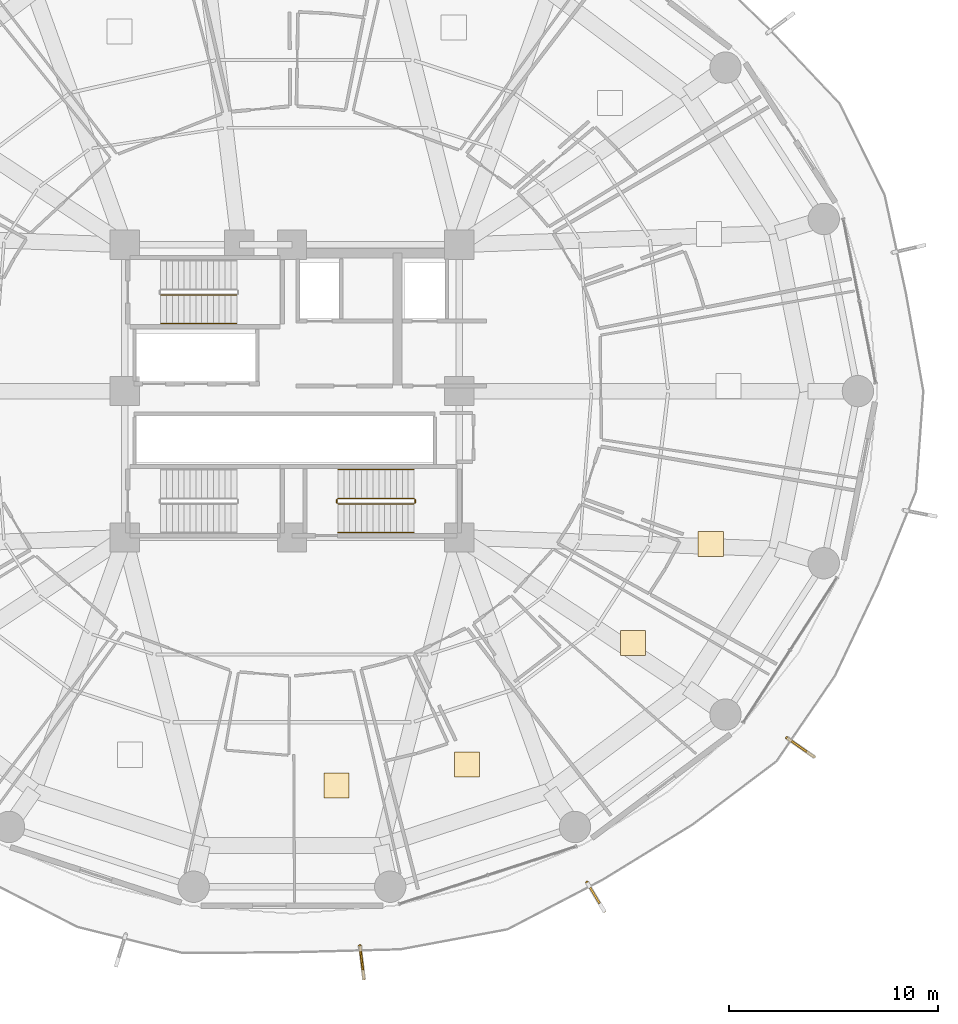
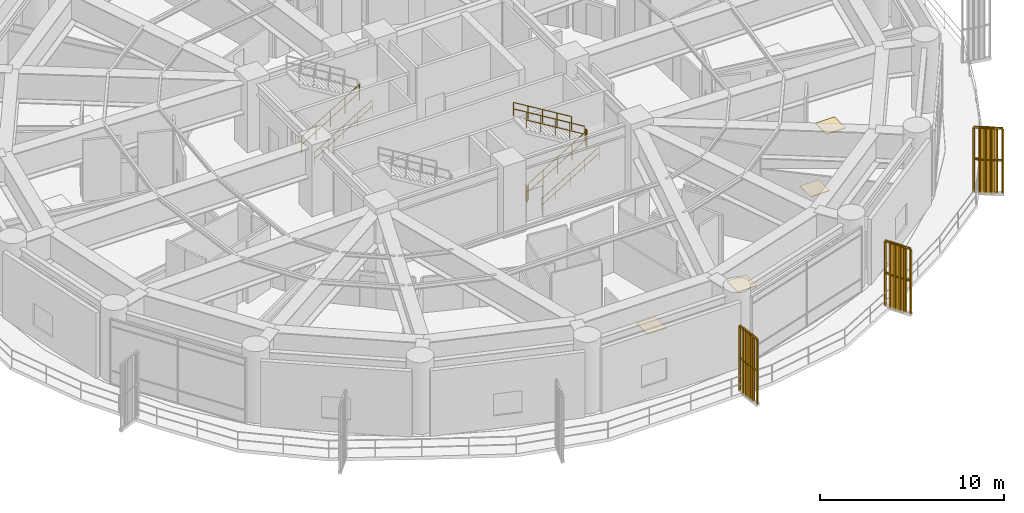
# One storey, part 28 of 31: 11 railings, 4 coverings, 3 shading devices.
"""IFC4 building model written with IfcOpenShell, lengths in metres."""

from ifc_helpers import new_model, si_unit, direction, frame, origin, origin_2d, place, context, subcontext, project, spatial, polyline, rectangle, outline, extrude, source, transform, mapped, material, layer, layer_set, type_object, element, save


model = new_model("IFC4")

# Units and contexts
model_context = context("Model", 3, precision=1e-05, world=origin(), true_north=direction((0.0, 1.0)))
body_context = subcontext(model_context, "Body", "Model", "MODEL_VIEW")
ifc_project = project(units=[si_unit("LENGTHUNIT", "METRE"), si_unit("AREAUNIT", "SQUARE_METRE"), si_unit("VOLUMEUNIT", "CUBIC_METRE"), si_unit("PLANEANGLEUNIT", "RADIAN"), si_unit("MASSUNIT", "GRAM", prefix="KILO")], contexts=[model_context])

# Site, building, storey
site_placement = place(None, origin())
site = spatial("IfcSite", under=ifc_project, at=site_placement, CompositionType="ELEMENT")
building_placement = place(site_placement, origin())
building = spatial("IfcBuilding", under=site, at=building_placement, Name="Kelanora Arch Commons", CompositionType="ELEMENT")
storey_placement = place(building_placement, frame((0.0, 0.0, 67.5)))
storey = spatial("IfcBuildingStorey", under=building, at=storey_placement, Name="L17", CompositionType="ELEMENT", Elevation=67.5)

# Railings
ifc_material_1 = material(Name="Anodised bronze vertical shading fin rib assembly")
railing_type_1 = type_object("IfcRailingType", Name="RAIL-FIN-BRZ", PredefinedType="BALUSTRADE", material=ifc_material_1)
railing_1_placement = place(storey_placement, frame((77.25146484375, 31.46142578125, -0.02001953125)))
element("IfcRailing", 1, at=railing_1_placement, inside=storey, type_object=railing_type_1, Name="Sweeping Bronze Vertical Fin Blade L17-10", PredefinedType="BALUSTRADE", context=body_context, shape_type="SweptSolid", body=[
    extrude(outline(polyline([(0.06982421875, 0.0), (0.034912109375, 0.060546875), (-0.034912109375, 0.060546875), (-0.06982421875, 0.0), (-0.034912109375, -0.060546875), (0.034912109375, -0.060546875), (0.06982421875, 0.0)])), frame((0.0, 0.0, 4.2900390625), z_axis=(0.121618869646, -0.992576873872, 0.0), x_axis=(0.992576873872, 0.121618869646, 0.0)), (0.0, 0.0, 1.0), 1.579833984375),
    extrude(outline(polyline([(0.06982421875, 0.0), (0.034912109375, 0.060546875), (-0.034912109375, 0.060546875), (-0.06982421875, 0.0), (-0.034912109375, -0.060546875), (0.034912109375, -0.060546875), (0.06982421875, 0.0)])), frame((0.0, 0.0, 2.18017578125), z_axis=(0.121618869646, -0.992576873872, 0.0), x_axis=(0.992576873872, 0.121618869646, 0.0)), (0.0, 0.0, 1.0), 1.579833984375),
    extrude(outline(polyline([(0.080078125, 0.0), (0.0400390625, 0.0693359375), (-0.0400390625, 0.0693359375), (-0.080078125, 0.0), (-0.0400390625, -0.0693359375), (0.0400390625, -0.0693359375), (0.080078125, 0.0)])), origin(), (0.0, 0.0, 1.0), 4.22021484375),
    extrude(outline(polyline([(0.080078125, 0.0), (0.0400390625, 0.0693359375), (-0.0400390625, 0.0693359375), (-0.080078125, 0.0), (-0.0400390625, -0.0693359375), (0.0400390625, -0.0693359375), (0.080078125, 0.0)])), frame((0.038330078125, -0.313720703125, 0.0)), (0.0, 0.0, 1.0), 4.22021484375),
    extrude(outline(polyline([(0.080078125, 0.0), (0.0400390625, 0.0693359375), (-0.0400390625, 0.0693359375), (-0.080078125, 0.0), (-0.0400390625, -0.0693359375), (0.0400390625, -0.0693359375), (0.080078125, 0.0)])), frame((0.076904296875, -0.627197265625, 0.0)), (0.0, 0.0, 1.0), 4.22021484375),
    extrude(outline(polyline([(0.080078125, 0.0), (0.0400390625, 0.0693359375), (-0.0400390625, 0.0693359375), (-0.080078125, 0.0), (-0.0400390625, -0.0693359375), (0.0400390625, -0.0693359375), (0.080078125, 0.0)])), frame((0.115234375, -0.94091796875, 0.0)), (0.0, 0.0, 1.0), 4.22021484375),
    extrude(outline(polyline([(0.080078125, 0.0), (0.0400390625, 0.0693359375), (-0.0400390625, 0.0693359375), (-0.080078125, 0.0), (-0.0400390625, -0.0693359375), (0.0400390625, -0.0693359375), (0.080078125, 0.0)])), frame((0.15380859375, -1.25439453125, 0.0)), (0.0, 0.0, 1.0), 4.22021484375),
    extrude(outline(polyline([(0.080078125, 0.0), (0.0400390625, 0.0693359375), (-0.0400390625, 0.0693359375), (-0.080078125, 0.0), (-0.0400390625, -0.0693359375), (0.0400390625, -0.0693359375), (0.080078125, 0.0)])), frame((0.192138671875, -1.568115234375, 0.0)), (0.0, 0.0, 1.0), 4.22021484375),
])
railing_2_placement = place(storey_placement, frame((88.121337890625, 34.48388671875, -0.02001953125)))
element("IfcRailing", 2, at=railing_2_placement, inside=storey, type_object=railing_type_1, Name="Sweeping Bronze Vertical Fin Blade L17-11", PredefinedType="BALUSTRADE", context=body_context, shape_type="SweptSolid", body=[
    extrude(outline(polyline([(0.06982421875, 0.0), (0.034912109375, 0.060546875), (-0.034912109375, 0.060546875), (-0.06982421875, 0.0), (-0.034912109375, -0.060546875), (0.034912109375, -0.060546875), (0.06982421875, 0.0)])), frame((0.0, 0.0, 4.2900390625), z_axis=(0.514859284694, -0.857274703327, 0.0), x_axis=(0.857274703327, 0.514859284694, 0.0)), (0.0, 0.0, 1.0), 1.580078125),
    extrude(outline(polyline([(0.06982421875, 0.0), (0.034912109375, 0.060546875), (-0.034912109375, 0.060546875), (-0.06982421875, 0.0), (-0.034912109375, -0.060546875), (0.034912109375, -0.060546875), (0.06982421875, 0.0)])), frame((0.0, 0.0, 2.18017578125), z_axis=(0.514859284694, -0.857274703327, 0.0), x_axis=(0.857274703327, 0.514859284694, 0.0)), (0.0, 0.0, 1.0), 1.580078125),
    extrude(outline(polyline([(0.080078125, 0.0), (0.0400390625, 0.0693359375), (-0.0400390625, 0.0693359375), (-0.080078125, 0.0), (-0.0400390625, -0.0693359375), (0.0400390625, -0.0693359375), (0.080078125, 0.0)])), origin(), (0.0, 0.0, 1.0), 4.22021484375),
    extrude(outline(polyline([(0.080078125, 0.0), (0.0400390625, 0.0693359375), (-0.0400390625, 0.0693359375), (-0.080078125, 0.0), (-0.0400390625, -0.0693359375), (0.0400390625, -0.0693359375), (0.080078125, 0.0)])), frame((0.16259765625, -0.27099609375, 0.0)), (0.0, 0.0, 1.0), 4.22021484375),
    extrude(outline(polyline([(0.080078125, 0.0), (0.0400390625, 0.0693359375), (-0.0400390625, 0.0693359375), (-0.080078125, 0.0), (-0.0400390625, -0.0693359375), (0.0400390625, -0.0693359375), (0.080078125, 0.0)])), frame((0.325439453125, -0.541748046875, 0.0)), (0.0, 0.0, 1.0), 4.22021484375),
    extrude(outline(polyline([(0.080078125, 0.0), (0.0400390625, 0.0693359375), (-0.0400390625, 0.0693359375), (-0.080078125, 0.0), (-0.0400390625, -0.0693359375), (0.0400390625, -0.0693359375), (0.080078125, 0.0)])), frame((0.488037109375, -0.812744140625, 0.0)), (0.0, 0.0, 1.0), 4.22021484375),
    extrude(outline(polyline([(0.080078125, 0.0), (0.0400390625, 0.0693359375), (-0.0400390625, 0.0693359375), (-0.080078125, 0.0), (-0.0400390625, -0.0693359375), (0.0400390625, -0.0693359375), (0.080078125, 0.0)])), frame((0.65087890625, -1.08349609375, 0.0)), (0.0, 0.0, 1.0), 4.22021484375),
    extrude(outline(polyline([(0.080078125, 0.0), (0.0400390625, 0.0693359375), (-0.0400390625, 0.0693359375), (-0.080078125, 0.0), (-0.0400390625, -0.0693359375), (0.0400390625, -0.0693359375), (0.080078125, 0.0)])), frame((0.8134765625, -1.3544921875, 0.0)), (0.0, 0.0, 1.0), 4.22021484375),
])
railing_3_placement = place(storey_placement, frame((97.68115234375, 41.408935546875, -0.02001953125)))
element("IfcRailing", 3, at=railing_3_placement, inside=storey, type_object=railing_type_1, Name="Sweeping Bronze Vertical Fin Blade L17-12", PredefinedType="BALUSTRADE", context=body_context, shape_type="SweptSolid", body=[
    extrude(outline(polyline([(0.06982421875, 0.0), (0.034912109375, 0.060546875), (-0.034912109375, 0.060546875), (-0.06982421875, 0.0), (-0.034912109375, -0.060546875), (0.034912109375, -0.060546875), (0.06982421875, 0.0)])), frame((0.0, 0.0, 4.2900390625), z_axis=(0.819014066129, -0.573773439158, 0.0), x_axis=(0.573773439158, 0.819014066129, 0.0)), (0.0, 0.0, 1.0), 1.579833984375),
    extrude(outline(polyline([(0.06982421875, 0.0), (0.034912109375, 0.060546875), (-0.034912109375, 0.060546875), (-0.06982421875, 0.0), (-0.034912109375, -0.060546875), (0.034912109375, -0.060546875), (0.06982421875, 0.0)])), frame((0.0, 0.0, 2.18017578125), z_axis=(0.819014066129, -0.573773439158, 0.0), x_axis=(0.573773439158, 0.819014066129, 0.0)), (0.0, 0.0, 1.0), 1.579833984375),
    extrude(outline(polyline([(0.080078125, 0.0), (0.0400390625, 0.0693359375), (-0.0400390625, 0.0693359375), (-0.080078125, 0.0), (-0.0400390625, -0.0693359375), (0.0400390625, -0.0693359375), (0.080078125, 0.0)])), origin(), (0.0, 0.0, 1.0), 4.22021484375),
    extrude(outline(polyline([(0.080078125, 0.0), (0.0400390625, 0.0693359375), (-0.0400390625, 0.0693359375), (-0.080078125, 0.0), (-0.0400390625, -0.0693359375), (0.0400390625, -0.0693359375), (0.080078125, 0.0)])), frame((0.2587890625, -0.181396484375, 0.0)), (0.0, 0.0, 1.0), 4.22021484375),
    extrude(outline(polyline([(0.080078125, 0.0), (0.0400390625, 0.0693359375), (-0.0400390625, 0.0693359375), (-0.080078125, 0.0), (-0.0400390625, -0.0693359375), (0.0400390625, -0.0693359375), (0.080078125, 0.0)])), frame((0.517578125, -0.362548828125, 0.0)), (0.0, 0.0, 1.0), 4.22021484375),
    extrude(outline(polyline([(0.080078125, 0.0), (0.0400390625, 0.0693359375), (-0.0400390625, 0.0693359375), (-0.080078125, 0.0), (-0.0400390625, -0.0693359375), (0.0400390625, -0.0693359375), (0.080078125, 0.0)])), frame((0.7763671875, -0.5439453125, 0.0)), (0.0, 0.0, 1.0), 4.22021484375),
    extrude(outline(polyline([(0.080078125, 0.0), (0.0400390625, 0.0693359375), (-0.0400390625, 0.0693359375), (-0.080078125, 0.0), (-0.0400390625, -0.0693359375), (0.0400390625, -0.0693359375), (0.080078125, 0.0)])), frame((1.03515625, -0.72509765625, 0.0)), (0.0, 0.0, 1.0), 4.22021484375),
    extrude(outline(polyline([(0.080078125, 0.0), (0.0400390625, 0.0693359375), (-0.0400390625, 0.0693359375), (-0.080078125, 0.0), (-0.0400390625, -0.0693359375), (0.0400390625, -0.0693359375), (0.080078125, 0.0)])), frame((1.2939453125, -0.906494140625, 0.0)), (0.0, 0.0, 1.0), 4.22021484375),
])
ifc_material_2 = material(Name="Painted steel stair well guard", Category="steel")
railing_type_2 = type_object("IfcRailingType", Name="RAIL-STAIR-GRD", PredefinedType="GUARDRAIL", material=ifc_material_2)
railing_4_placement = place(storey_placement, frame((67.719970703125, 62.610107421875, 0.169921875)))
element("IfcRailing", 4, at=railing_4_placement, inside=storey, type_object=railing_type_2, Name="L17 ST-T1 stair guard 1", PredefinedType="GUARDRAIL", context=body_context, shape_type="SweptSolid", body=[
    extrude(outline(polyline([(0.02392578125, 0.0), (0.011962890625, 0.020751953125), (-0.011962890625, 0.020751953125), (-0.02392578125, 0.0), (-0.011962890625, -0.020751953125), (0.011962890625, -0.020751953125), (0.02392578125, 0.0)])), frame((0.0, 0.0, 1.076171875), z_axis=(0.854800231366, 0.0, 0.518957189425), x_axis=(0.0, 1.0, 0.0)), (0.0, 0.0, 1.0), 4.258544921875),
    extrude(outline(polyline([(0.02392578125, 0.0), (0.011962890625, 0.020751953125), (-0.011962890625, 0.020751953125), (-0.02392578125, 0.0), (-0.011962890625, -0.020751953125), (0.011962890625, -0.020751953125), (0.02392578125, 0.0)])), frame((0.0, 0.0, 0.550048828125), z_axis=(0.854800231366, 0.0, 0.518957189425), x_axis=(0.0, 1.0, 0.0)), (0.0, 0.0, 1.0), 4.258544921875),
    extrude(outline(polyline([(0.02099609375, 0.0), (0.010498046875, 0.01806640625), (-0.010498046875, 0.01806640625), (-0.02099609375, 0.0), (-0.010498046875, -0.01806640625), (0.010498046875, -0.01806640625), (0.02099609375, 0.0)])), origin(), (0.0, 0.0, 1.0), 1.052001953125),
    extrude(outline(polyline([(0.02099609375, 0.0), (0.010498046875, 0.01806640625), (-0.010498046875, 0.01806640625), (-0.02099609375, 0.0), (-0.010498046875, -0.01806640625), (0.010498046875, -0.01806640625), (0.02099609375, 0.0)])), frame((0.91015625, 0.0, 0.552490234375)), (0.0, 0.0, 1.0), 1.052001953125),
    extrude(outline(polyline([(0.02099609375, 0.0), (0.010498046875, 0.01806640625), (-0.010498046875, 0.01806640625), (-0.02099609375, 0.0), (-0.010498046875, -0.01806640625), (0.010498046875, -0.01806640625), (0.02099609375, 0.0)])), frame((1.820068359375, 0.0, 1.10498046875)), (0.0, 0.0, 1.0), 1.052001953125),
    extrude(outline(polyline([(0.02099609375, 0.0), (0.010498046875, 0.01806640625), (-0.010498046875, 0.01806640625), (-0.02099609375, 0.0), (-0.010498046875, -0.01806640625), (0.010498046875, -0.01806640625), (0.02099609375, 0.0)])), frame((2.72998046875, 0.0, 1.657470703125)), (0.0, 0.0, 1.0), 1.052001953125),
    extrude(outline(polyline([(0.02099609375, 0.0), (0.010498046875, 0.01806640625), (-0.010498046875, 0.01806640625), (-0.02099609375, 0.0), (-0.010498046875, -0.01806640625), (0.010498046875, -0.01806640625), (0.02099609375, 0.0)])), frame((3.64013671875, 0.0, 2.2099609375)), (0.0, 0.0, 1.0), 1.052001953125),
])
railing_5_placement = place(storey_placement, frame((76.199951171875, 52.610107421875, 0.169921875)))
element("IfcRailing", 5, at=railing_5_placement, inside=storey, type_object=railing_type_2, Name="L17 ST-T2 stair guard 1", PredefinedType="GUARDRAIL", context=body_context, shape_type="SweptSolid", body=[
    extrude(outline(polyline([(0.02392578125, 0.0), (0.011962890625, 0.020751953125), (-0.011962890625, 0.020751953125), (-0.02392578125, 0.0), (-0.011962890625, -0.020751953125), (0.011962890625, -0.020751953125), (0.02392578125, 0.0)])), frame((0.0, 0.0, 1.076171875), z_axis=(0.854800231366, 0.0, 0.518957189425), x_axis=(0.0, 1.0, 0.0)), (0.0, 0.0, 1.0), 4.258544921875),
    extrude(outline(polyline([(0.02392578125, 0.0), (0.011962890625, 0.020751953125), (-0.011962890625, 0.020751953125), (-0.02392578125, 0.0), (-0.011962890625, -0.020751953125), (0.011962890625, -0.020751953125), (0.02392578125, 0.0)])), frame((0.0, 0.0, 0.550048828125), z_axis=(0.854800231366, 0.0, 0.518957189425), x_axis=(0.0, 1.0, 0.0)), (0.0, 0.0, 1.0), 4.258544921875),
    extrude(outline(polyline([(0.02099609375, 0.0), (0.010498046875, 0.01806640625), (-0.010498046875, 0.01806640625), (-0.02099609375, 0.0), (-0.010498046875, -0.01806640625), (0.010498046875, -0.01806640625), (0.02099609375, 0.0)])), origin(), (0.0, 0.0, 1.0), 1.052001953125),
    extrude(outline(polyline([(0.02099609375, 0.0), (0.010498046875, 0.01806640625), (-0.010498046875, 0.01806640625), (-0.02099609375, 0.0), (-0.010498046875, -0.01806640625), (0.010498046875, -0.01806640625), (0.02099609375, 0.0)])), frame((0.91015625, 0.0, 0.552490234375)), (0.0, 0.0, 1.0), 1.052001953125),
    extrude(outline(polyline([(0.02099609375, 0.0), (0.010498046875, 0.01806640625), (-0.010498046875, 0.01806640625), (-0.02099609375, 0.0), (-0.010498046875, -0.01806640625), (0.010498046875, -0.01806640625), (0.02099609375, 0.0)])), frame((1.820068359375, 0.0, 1.10498046875)), (0.0, 0.0, 1.0), 1.052001953125),
    extrude(outline(polyline([(0.02099609375, 0.0), (0.010498046875, 0.01806640625), (-0.010498046875, 0.01806640625), (-0.02099609375, 0.0), (-0.010498046875, -0.01806640625), (0.010498046875, -0.01806640625), (0.02099609375, 0.0)])), frame((2.72998046875, 0.0, 1.657470703125)), (0.0, 0.0, 1.0), 1.052001953125),
    extrude(outline(polyline([(0.02099609375, 0.0), (0.010498046875, 0.01806640625), (-0.010498046875, 0.01806640625), (-0.02099609375, 0.0), (-0.010498046875, -0.01806640625), (0.010498046875, -0.01806640625), (0.02099609375, 0.0)])), frame((3.64013671875, 0.0, 2.2099609375)), (0.0, 0.0, 1.0), 1.052001953125),
])
railing_6_placement = place(storey_placement, frame((79.889892578125, 52.659912109375, 2.3798828125)))
element("IfcRailing", 6, at=railing_6_placement, inside=storey, type_object=railing_type_2, Name="L17 ST-T2 stair guard 2", PredefinedType="GUARDRAIL", context=body_context, shape_type="SweptSolid", body=[
    extrude(outline(polyline([(0.02392578125, 0.0), (0.011962890625, 0.020751953125), (-0.011962890625, 0.020751953125), (-0.02392578125, 0.0), (-0.011962890625, -0.020751953125), (0.011962890625, -0.020751953125), (0.02392578125, 0.0)])), frame((0.0, 0.0, 1.076171875), z_axis=(0.0, 1.0, 0.0), x_axis=(-1.0, 0.0, 0.0)), (0.0, 0.0, 1.0), 0.150146484375),
    extrude(outline(polyline([(0.02392578125, 0.0), (0.011962890625, 0.020751953125), (-0.011962890625, 0.020751953125), (-0.02392578125, 0.0), (-0.011962890625, -0.020751953125), (0.011962890625, -0.020751953125), (0.02392578125, 0.0)])), frame((0.0, 0.0, 0.550048828125), z_axis=(0.0, 1.0, 0.0), x_axis=(-1.0, 0.0, 0.0)), (0.0, 0.0, 1.0), 0.150146484375),
    extrude(outline(polyline([(0.02099609375, 0.0), (0.010498046875, 0.01806640625), (-0.010498046875, 0.01806640625), (-0.02099609375, 0.0), (-0.010498046875, -0.01806640625), (0.010498046875, -0.01806640625), (0.02099609375, 0.0)])), origin(), (0.0, 0.0, 1.0), 1.052001953125),
    extrude(outline(polyline([(0.02099609375, 0.0), (0.010498046875, 0.01806640625), (-0.010498046875, 0.01806640625), (-0.02099609375, 0.0), (-0.010498046875, -0.01806640625), (0.010498046875, -0.01806640625), (0.02099609375, 0.0)])), frame((0.0, 0.150146484375, 0.0)), (0.0, 0.0, 1.0), 1.052001953125),
])
railing_7_placement = place(storey_placement, frame((79.840087890625, 52.860107421875, 2.550048828125)))
element("IfcRailing", 7, at=railing_7_placement, inside=storey, type_object=railing_type_2, Name="L17 ST-T2 stair guard 3", PredefinedType="GUARDRAIL", context=body_context, shape_type="SweptSolid", body=[
    extrude(outline(polyline([(0.02392578125, 0.0), (0.011962890625, 0.020751953125), (-0.011962890625, 0.020751953125), (-0.02392578125, 0.0), (-0.011962890625, -0.020751953125), (0.011962890625, -0.020751953125), (0.02392578125, 0.0)])), frame((0.0, 0.0, 1.076171875), z_axis=(-0.854800231366, 0.0, 0.518957189425), x_axis=(0.0, -1.0, 0.0)), (0.0, 0.0, 1.0), 4.258544921875),
    extrude(outline(polyline([(0.02392578125, 0.0), (0.011962890625, 0.020751953125), (-0.011962890625, 0.020751953125), (-0.02392578125, 0.0), (-0.011962890625, -0.020751953125), (0.011962890625, -0.020751953125), (0.02392578125, 0.0)])), frame((0.0, 0.0, 0.550048828125), z_axis=(-0.854800231366, 0.0, 0.518957189425), x_axis=(0.0, -1.0, 0.0)), (0.0, 0.0, 1.0), 4.258544921875),
    extrude(outline(polyline([(0.02099609375, 0.0), (0.010498046875, 0.01806640625), (-0.010498046875, 0.01806640625), (-0.02099609375, 0.0), (-0.010498046875, -0.01806640625), (0.010498046875, -0.01806640625), (0.02099609375, 0.0)])), origin(), (0.0, 0.0, 1.0), 1.052001953125),
    extrude(outline(polyline([(0.02099609375, 0.0), (0.010498046875, 0.01806640625), (-0.010498046875, 0.01806640625), (-0.02099609375, 0.0), (-0.010498046875, -0.01806640625), (0.010498046875, -0.01806640625), (0.02099609375, 0.0)])), frame((-0.91015625, 0.0, 0.552490234375)), (0.0, 0.0, 1.0), 1.052001953125),
    extrude(outline(polyline([(0.02099609375, 0.0), (0.010498046875, 0.01806640625), (-0.010498046875, 0.01806640625), (-0.02099609375, 0.0), (-0.010498046875, -0.01806640625), (0.010498046875, -0.01806640625), (0.02099609375, 0.0)])), frame((-1.820068359375, 0.0, 1.10498046875)), (0.0, 0.0, 1.0), 1.052001953125),
    extrude(outline(polyline([(0.02099609375, 0.0), (0.010498046875, 0.01806640625), (-0.010498046875, 0.01806640625), (-0.02099609375, 0.0), (-0.010498046875, -0.01806640625), (0.010498046875, -0.01806640625), (0.02099609375, 0.0)])), frame((-2.72998046875, 0.0, 1.657470703125)), (0.0, 0.0, 1.0), 1.052001953125),
    extrude(outline(polyline([(0.02099609375, 0.0), (0.010498046875, 0.01806640625), (-0.010498046875, 0.01806640625), (-0.02099609375, 0.0), (-0.010498046875, -0.01806640625), (0.010498046875, -0.01806640625), (0.02099609375, 0.0)])), frame((-3.64013671875, 0.0, 2.2099609375)), (0.0, 0.0, 1.0), 1.052001953125),
])
railing_8_placement = place(storey_placement, frame((76.14990234375, 52.659912109375, 0.0)))
element("IfcRailing", 8, at=railing_8_placement, inside=storey, type_object=railing_type_2, Name="L17 ST-T2 stair guard 4", PredefinedType="GUARDRAIL", context=body_context, shape_type="SweptSolid", body=[
    extrude(outline(polyline([(0.02392578125, 0.0), (0.011962890625, 0.020751953125), (-0.011962890625, 0.020751953125), (-0.02392578125, 0.0), (-0.011962890625, -0.020751953125), (0.011962890625, -0.020751953125), (0.02392578125, 0.0)])), frame((0.0, 0.0, 1.076171875), z_axis=(0.0, 1.0, 0.0), x_axis=(-1.0, 0.0, 0.0)), (0.0, 0.0, 1.0), 0.150146484375),
    extrude(outline(polyline([(0.02392578125, 0.0), (0.011962890625, 0.020751953125), (-0.011962890625, 0.020751953125), (-0.02392578125, 0.0), (-0.011962890625, -0.020751953125), (0.011962890625, -0.020751953125), (0.02392578125, 0.0)])), frame((0.0, 0.0, 0.550048828125), z_axis=(0.0, 1.0, 0.0), x_axis=(-1.0, 0.0, 0.0)), (0.0, 0.0, 1.0), 0.150146484375),
    extrude(outline(polyline([(0.02099609375, 0.0), (0.010498046875, 0.01806640625), (-0.010498046875, 0.01806640625), (-0.02099609375, 0.0), (-0.010498046875, -0.01806640625), (0.010498046875, -0.01806640625), (0.02099609375, 0.0)])), origin(), (0.0, 0.0, 1.0), 1.052001953125),
    extrude(outline(polyline([(0.02099609375, 0.0), (0.010498046875, 0.01806640625), (-0.010498046875, 0.01806640625), (-0.02099609375, 0.0), (-0.010498046875, -0.01806640625), (0.010498046875, -0.01806640625), (0.02099609375, 0.0)])), frame((0.0, 0.150146484375, 0.0)), (0.0, 0.0, 1.0), 1.052001953125),
])
ifc_material_3 = material(Name="Brushed stainless steel stair handrail", Category="steel")
railing_type_3 = type_object("IfcRailingType", Name="RAIL-STAIR-HND", PredefinedType="HANDRAIL", material=ifc_material_3)
railing_9_placement = place(storey_placement, frame((67.719970703125, 61.22998046875, 0.169921875)))
element("IfcRailing", 9, at=railing_9_placement, inside=storey, type_object=railing_type_3, Name="L17 ST-T1 stair handrail 1", PredefinedType="HANDRAIL", context=body_context, shape_type="SweptSolid", body=[
    extrude(outline(polyline([(0.02392578125, 0.0), (0.011962890625, 0.020751953125), (-0.011962890625, 0.020751953125), (-0.02392578125, 0.0), (-0.011962890625, -0.020751953125), (0.011962890625, -0.020751953125), (0.02392578125, 0.0)])), frame((0.0, 0.0, 0.8759765625), z_axis=(0.854800231366, 0.0, 0.518957189425), x_axis=(0.0, 1.0, 0.0)), (0.0, 0.0, 1.0), 4.258544921875),
    extrude(outline(polyline([(0.02392578125, 0.0), (0.011962890625, 0.020751953125), (-0.011962890625, 0.020751953125), (-0.02392578125, 0.0), (-0.011962890625, -0.020751953125), (0.011962890625, -0.020751953125), (0.02392578125, 0.0)])), frame((0.0, 0.0, 0.449951171875), z_axis=(0.854800231366, 0.0, 0.518957189425), x_axis=(0.0, 1.0, 0.0)), (0.0, 0.0, 1.0), 4.258544921875),
    extrude(outline(polyline([(0.02099609375, 0.0), (0.010498046875, 0.01806640625), (-0.010498046875, 0.01806640625), (-0.02099609375, 0.0), (-0.010498046875, -0.01806640625), (0.010498046875, -0.01806640625), (0.02099609375, 0.0)])), origin(), (0.0, 0.0, 1.0), 0.851806640625),
    extrude(outline(polyline([(0.02099609375, 0.0), (0.010498046875, 0.01806640625), (-0.010498046875, 0.01806640625), (-0.02099609375, 0.0), (-0.010498046875, -0.01806640625), (0.010498046875, -0.01806640625), (0.02099609375, 0.0)])), frame((0.91015625, 0.0, 0.552490234375)), (0.0, 0.0, 1.0), 0.851806640625),
    extrude(outline(polyline([(0.02099609375, 0.0), (0.010498046875, 0.01806640625), (-0.010498046875, 0.01806640625), (-0.02099609375, 0.0), (-0.010498046875, -0.01806640625), (0.010498046875, -0.01806640625), (0.02099609375, 0.0)])), frame((1.820068359375, 0.0, 1.10498046875)), (0.0, 0.0, 1.0), 0.851806640625),
    extrude(outline(polyline([(0.02099609375, 0.0), (0.010498046875, 0.01806640625), (-0.010498046875, 0.01806640625), (-0.02099609375, 0.0), (-0.010498046875, -0.01806640625), (0.010498046875, -0.01806640625), (0.02099609375, 0.0)])), frame((2.72998046875, 0.0, 1.657470703125)), (0.0, 0.0, 1.0), 0.851806640625),
    extrude(outline(polyline([(0.02099609375, 0.0), (0.010498046875, 0.01806640625), (-0.010498046875, 0.01806640625), (-0.02099609375, 0.0), (-0.010498046875, -0.01806640625), (0.010498046875, -0.01806640625), (0.02099609375, 0.0)])), frame((3.64013671875, 0.0, 2.2099609375)), (0.0, 0.0, 1.0), 0.851806640625),
])
railing_10_placement = place(storey_placement, frame((76.199951171875, 51.22998046875, 0.169921875)))
element("IfcRailing", 10, at=railing_10_placement, inside=storey, type_object=railing_type_3, Name="L17 ST-T2 stair handrail 1", PredefinedType="HANDRAIL", context=body_context, shape_type="SweptSolid", body=[
    extrude(outline(polyline([(0.02392578125, 0.0), (0.011962890625, 0.020751953125), (-0.011962890625, 0.020751953125), (-0.02392578125, 0.0), (-0.011962890625, -0.020751953125), (0.011962890625, -0.020751953125), (0.02392578125, 0.0)])), frame((0.0, 0.0, 0.8759765625), z_axis=(0.854800231366, 0.0, 0.518957189425), x_axis=(0.0, 1.0, 0.0)), (0.0, 0.0, 1.0), 4.258544921875),
    extrude(outline(polyline([(0.02392578125, 0.0), (0.011962890625, 0.020751953125), (-0.011962890625, 0.020751953125), (-0.02392578125, 0.0), (-0.011962890625, -0.020751953125), (0.011962890625, -0.020751953125), (0.02392578125, 0.0)])), frame((0.0, 0.0, 0.449951171875), z_axis=(0.854800231366, 0.0, 0.518957189425), x_axis=(0.0, 1.0, 0.0)), (0.0, 0.0, 1.0), 4.258544921875),
    extrude(outline(polyline([(0.02099609375, 0.0), (0.010498046875, 0.01806640625), (-0.010498046875, 0.01806640625), (-0.02099609375, 0.0), (-0.010498046875, -0.01806640625), (0.010498046875, -0.01806640625), (0.02099609375, 0.0)])), origin(), (0.0, 0.0, 1.0), 0.851806640625),
    extrude(outline(polyline([(0.02099609375, 0.0), (0.010498046875, 0.01806640625), (-0.010498046875, 0.01806640625), (-0.02099609375, 0.0), (-0.010498046875, -0.01806640625), (0.010498046875, -0.01806640625), (0.02099609375, 0.0)])), frame((0.91015625, 0.0, 0.552490234375)), (0.0, 0.0, 1.0), 0.851806640625),
    extrude(outline(polyline([(0.02099609375, 0.0), (0.010498046875, 0.01806640625), (-0.010498046875, 0.01806640625), (-0.02099609375, 0.0), (-0.010498046875, -0.01806640625), (0.010498046875, -0.01806640625), (0.02099609375, 0.0)])), frame((1.820068359375, 0.0, 1.10498046875)), (0.0, 0.0, 1.0), 0.851806640625),
    extrude(outline(polyline([(0.02099609375, 0.0), (0.010498046875, 0.01806640625), (-0.010498046875, 0.01806640625), (-0.02099609375, 0.0), (-0.010498046875, -0.01806640625), (0.010498046875, -0.01806640625), (0.02099609375, 0.0)])), frame((2.72998046875, 0.0, 1.657470703125)), (0.0, 0.0, 1.0), 0.851806640625),
    extrude(outline(polyline([(0.02099609375, 0.0), (0.010498046875, 0.01806640625), (-0.010498046875, 0.01806640625), (-0.02099609375, 0.0), (-0.010498046875, -0.01806640625), (0.010498046875, -0.01806640625), (0.02099609375, 0.0)])), frame((3.64013671875, 0.0, 2.2099609375)), (0.0, 0.0, 1.0), 0.851806640625),
])
railing_11_placement = place(storey_placement, frame((79.840087890625, 54.239990234375, 2.550048828125)))
element("IfcRailing", 11, at=railing_11_placement, inside=storey, type_object=railing_type_3, Name="L17 ST-T2 stair handrail 2", PredefinedType="HANDRAIL", context=body_context, shape_type="SweptSolid", body=[
    extrude(outline(polyline([(0.02392578125, 0.0), (0.011962890625, 0.020751953125), (-0.011962890625, 0.020751953125), (-0.02392578125, 0.0), (-0.011962890625, -0.020751953125), (0.011962890625, -0.020751953125), (0.02392578125, 0.0)])), frame((0.0, 0.0, 0.8759765625), z_axis=(-0.854800231366, 0.0, 0.518957189425), x_axis=(0.0, -1.0, 0.0)), (0.0, 0.0, 1.0), 4.258544921875),
    extrude(outline(polyline([(0.02392578125, 0.0), (0.011962890625, 0.020751953125), (-0.011962890625, 0.020751953125), (-0.02392578125, 0.0), (-0.011962890625, -0.020751953125), (0.011962890625, -0.020751953125), (0.02392578125, 0.0)])), frame((0.0, 0.0, 0.449951171875), z_axis=(-0.854800231366, 0.0, 0.518957189425), x_axis=(0.0, -1.0, 0.0)), (0.0, 0.0, 1.0), 4.258544921875),
    extrude(outline(polyline([(0.02099609375, 0.0), (0.010498046875, 0.01806640625), (-0.010498046875, 0.01806640625), (-0.02099609375, 0.0), (-0.010498046875, -0.01806640625), (0.010498046875, -0.01806640625), (0.02099609375, 0.0)])), origin(), (0.0, 0.0, 1.0), 0.851806640625),
    extrude(outline(polyline([(0.02099609375, 0.0), (0.010498046875, 0.01806640625), (-0.010498046875, 0.01806640625), (-0.02099609375, 0.0), (-0.010498046875, -0.01806640625), (0.010498046875, -0.01806640625), (0.02099609375, 0.0)])), frame((-0.91015625, 0.0, 0.552490234375)), (0.0, 0.0, 1.0), 0.851806640625),
    extrude(outline(polyline([(0.02099609375, 0.0), (0.010498046875, 0.01806640625), (-0.010498046875, 0.01806640625), (-0.02099609375, 0.0), (-0.010498046875, -0.01806640625), (0.010498046875, -0.01806640625), (0.02099609375, 0.0)])), frame((-1.820068359375, 0.0, 1.10498046875)), (0.0, 0.0, 1.0), 0.851806640625),
    extrude(outline(polyline([(0.02099609375, 0.0), (0.010498046875, 0.01806640625), (-0.010498046875, 0.01806640625), (-0.02099609375, 0.0), (-0.010498046875, -0.01806640625), (0.010498046875, -0.01806640625), (0.02099609375, 0.0)])), frame((-2.72998046875, 0.0, 1.657470703125)), (0.0, 0.0, 1.0), 0.851806640625),
    extrude(outline(polyline([(0.02099609375, 0.0), (0.010498046875, 0.01806640625), (-0.010498046875, 0.01806640625), (-0.02099609375, 0.0), (-0.010498046875, -0.01806640625), (0.010498046875, -0.01806640625), (0.02099609375, 0.0)])), frame((-3.64013671875, 0.0, 2.2099609375)), (0.0, 0.0, 1.0), 0.851806640625),
])

# Shading devices
ifc_material_4 = material(Name="Terracotta ceramic-clad extruded aluminium fin", Category="masonry")
shading_device_type = type_object("IfcShadingDeviceType", Name="SHD-FIN-FLARE", PredefinedType="USERDEFINED", material=ifc_material_4)
shared_shape_1 = source(origin(), body_context, "Body", "SweptSolid", [
    extrude(rectangle(XDim=0.8798828125, YDim=0.090087890625, at=origin_2d()), origin(), (0.0, 0.0, 1.0), 4.47998046875),
])
for number, where, z_axis, x_axis, name in (
    (12, (77.339111328125, 30.746826171875, -0.139892578125), (0.0, 0.0, 1.0), (0.121696109567, -0.992567406737, 0.0), "Sweeping Terracotta Fin L17-10"),
    (13, (88.4921875, 33.86669921875, -0.139892578125), (0.0, 0.0, 1.0), (0.51488846315, -0.857257178748, 0.0), "Sweeping Terracotta Fin L17-11"),
    (14, (98.27099609375, 40.995849609375, -0.139892578125), (0.0, 0.0, 1.0), (0.81905192384, -0.573719396617, 0.0), "Sweeping Terracotta Fin L17-12"),
):
    element("IfcShadingDevice", number, at=place(storey_placement, frame(where, z_axis=z_axis, x_axis=x_axis)), inside=storey, type_object=shading_device_type, Name=name, ObjectType="FIN", PredefinedType="USERDEFINED", context=body_context, shape_type="MappedRepresentation", body=[
        mapped(shared_shape_1, transform((0.0, 0.0, 0.0), scale=1.0)),
    ])

# Coverings
ifc_material_5 = material(Name="Polished local granite terrazzo flooring", Category="masonry")
ifc_layer = layer(ifc_material_5, 0.030029296875)
ifc_layer_set = layer_set([ifc_layer], Name="Polished local granite terrazzo flooring")
covering_type = type_object("IfcCoveringType", Name="COV-FLR-TER", PredefinedType="FLOORING", material=ifc_layer_set)
shared_shape_2 = source(origin(), body_context, "Body", "SweptSolid", [
    extrude(rectangle(XDim=1.199951171875, YDim=1.199951171875, at=origin_2d()), origin(), (0.0, 0.0, 1.0), 0.030029296875),
])
for number, where, z_axis, x_axis, name in (
    (15, (76.1298828125, 39.1298828125, 0.0), (0.0, 0.0, 1.0), (1.0, 0.0, 0.0), "Quiet Reading Carrel L17-12 Terrazzo Finish"),
    (16, (82.3837890625, 40.127685546875, 0.0), (0.0, 0.0, 1.0), (1.0, 0.0, 0.0), "Co-Living Studio L17-13 Terrazzo Finish"),
    (17, (90.327880859375, 45.951416015625, 0.0), (0.0, 0.0, 1.0), (1.0, 0.0, 0.0), "Tutorial Study Alcove L17-14 Terrazzo Finish"),
    (18, (94.036865234375, 50.6748046875, 0.0), (0.0, 0.0, 1.0), (1.0, 0.0, 0.0), "Co-Living Studio L17-15 Terrazzo Finish"),
):
    element("IfcCovering", number, at=place(storey_placement, frame(where, z_axis=z_axis, x_axis=x_axis)), inside=storey, type_object=covering_type, Name=name, PredefinedType="FLOORING", context=body_context, shape_type="MappedRepresentation", body=[
        mapped(shared_shape_2, transform((0.0, 0.0, 0.0), scale=1.0)),
    ])

save(model, "model.ifc")
